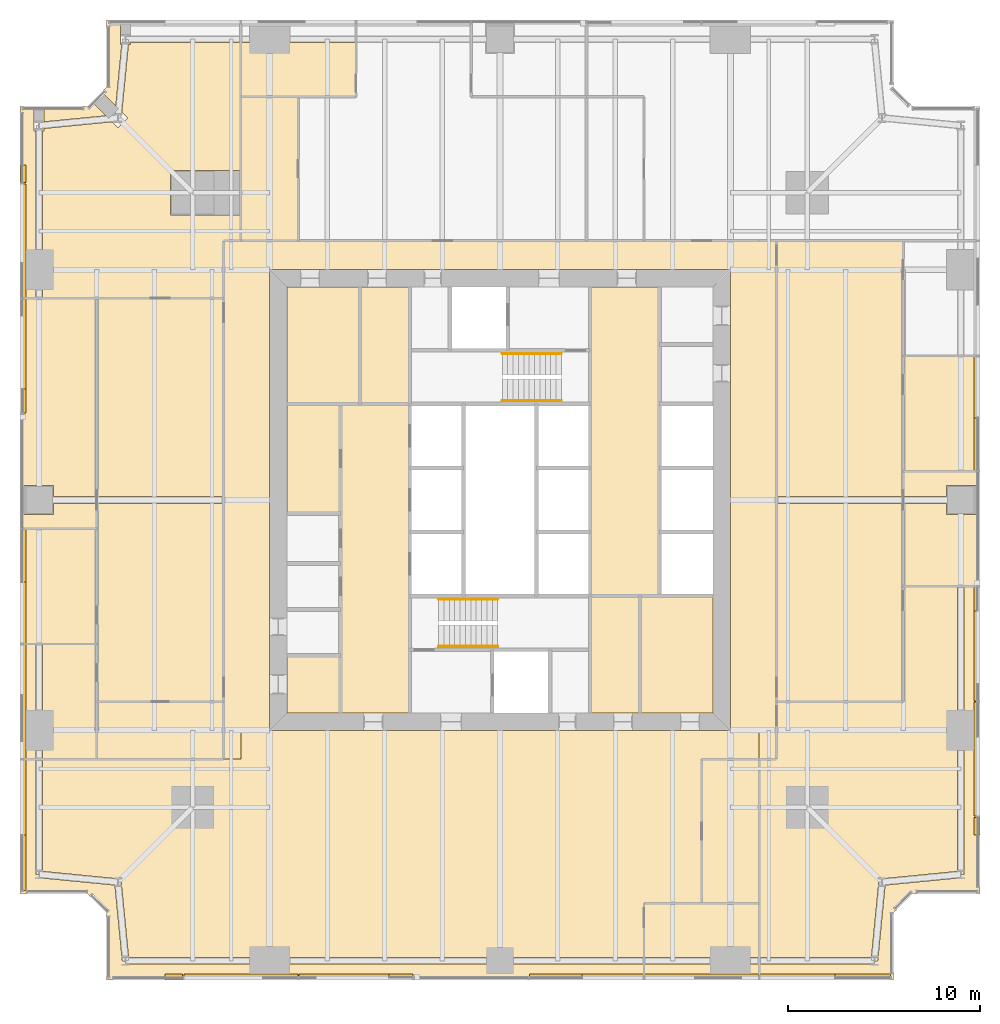
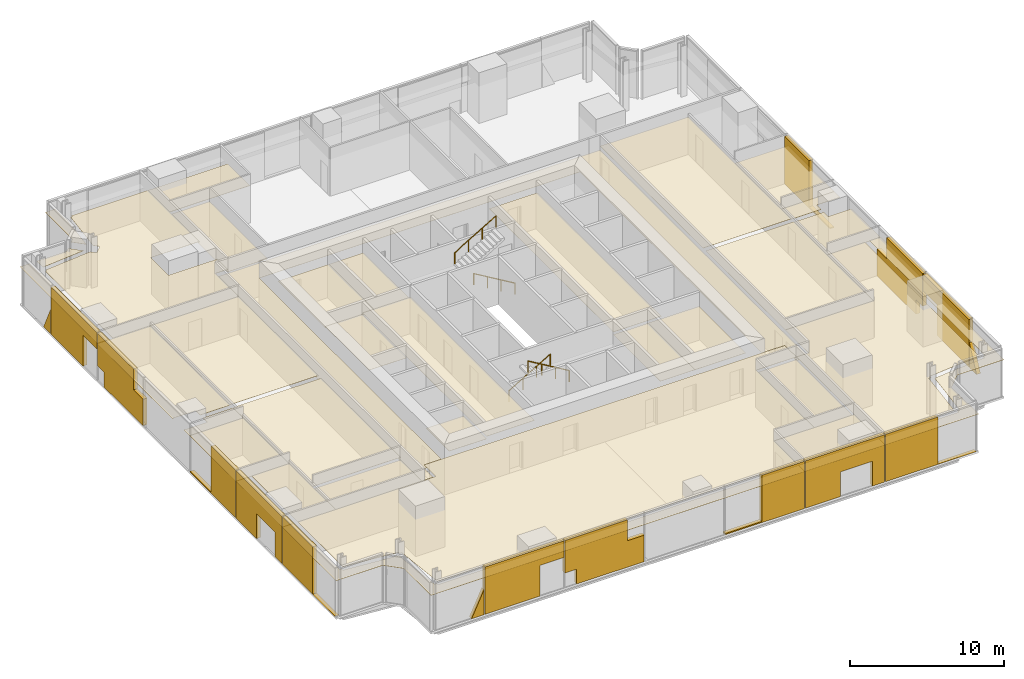
# One storey, part 13 of 14: 51 coverings, 4 railings.
"""IFC4 building model written with IfcOpenShell, lengths in metres."""

from ifc_helpers import new_model, si_unit, direction, frame, origin, origin_2d, place, context, subcontext, project, spatial, polyline, circle, outline, extrude, material, layer, layer_set, type_object, element, save


model = new_model("IFC4")

# Units and contexts
model_context = context("Model", 3, precision=1e-05, world=origin(), true_north=direction((0.0, 1.0)))
body_context = subcontext(model_context, "Body", "Model", "MODEL_VIEW")
ifc_project = project(units=[si_unit("LENGTHUNIT", "METRE"), si_unit("AREAUNIT", "SQUARE_METRE"), si_unit("VOLUMEUNIT", "CUBIC_METRE"), si_unit("PLANEANGLEUNIT", "RADIAN"), si_unit("MASSUNIT", "GRAM", prefix="KILO")], contexts=[model_context])

# Site, building, storey
site_placement = place(None, origin())
site = spatial("IfcSite", under=ifc_project, at=site_placement, CompositionType="ELEMENT")
building_placement = place(site_placement, origin())
building = spatial("IfcBuilding", under=site, at=building_placement, Name="Fenwick Lantern Interchange", CompositionType="ELEMENT")
storey_placement = place(building_placement, frame((0.0, 0.0, 122.39990234375)))
storey = spatial("IfcBuildingStorey", under=building, at=storey_placement, Name="L28", CompositionType="ELEMENT", Elevation=122.39990234375)

# Coverings
ifc_material_1 = material(Name="Mineral fibre acoustic tile on suspended grid")
ifc_layer_1 = layer(ifc_material_1, 0.02001953125)
ifc_layer_set_1 = layer_set([ifc_layer_1], Name="ACOUSTIC TILE CEILING 20")
covering_type_1 = type_object("IfcCoveringType", Name="ACOUSTIC TILE CEILING 20", PredefinedType="CEILING", material=ifc_layer_set_1)
covering_1_placement = place(storey_placement, frame((0.0, 0.0, 2.900146484375)))
element("IfcCovering", 1, at=covering_1_placement, inside=storey, type_object=covering_type_1, Name="Open office ceiling", PredefinedType="CEILING", context=body_context, shape_type="SweptSolid", body=[
    extrude(outline(polyline([(11.5, 11.5), (1.17236328125, 11.5), (1.17236328125, 5.656494140625), (5.11669921875, 5.271484375), (5.10009765625, 5.10009765625), (5.271484375, 5.11669921875), (5.656494140625, 1.17236328125), (13.0, 1.17236328125), (25.0, 1.17236328125), (32.5, 1.17236328125), (32.5, 4.0), (35.5, 4.0), (35.5, 11.5), (38.5, 11.5), (38.5, 13.0), (11.5, 13.0), (11.5, 11.5)])), origin(), (0.0, 0.0, 1.0), 0.02001953125),
])
covering_2_placement = place(storey_placement, frame((0.0, 0.0, 2.900146484375)))
element("IfcCovering", 2, at=covering_2_placement, inside=storey, type_object=covering_type_1, Name="Open office ceiling", PredefinedType="CEILING", context=body_context, shape_type="SweptSolid", body=[
    extrude(outline(polyline([(4.5, 3.5), (4.5, 0.0), (32.5, 0.0), (32.5, 0.82763671875), (25.0, 0.82763671875), (13.0, 0.82763671875), (5.5, 0.82763671875), (5.5, 1.0), (5.328369140625, 0.983154296875), (4.942138671875, 4.942138671875), (0.983154296875, 5.328369140625), (1.0, 5.5), (0.82763671875, 5.5), (0.82763671875, 11.5), (0.0, 11.5), (0.0, 4.5), (3.5, 4.5), (4.5, 3.5)])), origin(), (0.0, 0.0, 1.0), 0.02001953125),
])
covering_3_placement = place(storey_placement, frame((0.0, 0.0, 2.900146484375)))
element("IfcCovering", 3, at=covering_3_placement, inside=storey, type_object=covering_type_1, Name="Meeting room ceiling", PredefinedType="CEILING", context=body_context, shape_type="SweptSolid", body=[
    extrude(outline(polyline([(32.5, 4.0), (32.5, 1.17236328125), (37.0, 1.17236328125), (38.5, 1.17236328125), (38.5, 4.0), (32.5, 4.0)])), origin(), (0.0, 0.0, 1.0), 0.02001953125),
])
covering_4_placement = place(storey_placement, frame((0.0, 0.0, 2.900146484375)))
element("IfcCovering", 4, at=covering_4_placement, inside=storey, type_object=covering_type_1, Name="Meeting room ceiling", PredefinedType="CEILING", context=body_context, shape_type="SweptSolid", body=[
    extrude(outline(polyline([(38.5, 0.0), (38.5, 0.82763671875), (37.0, 0.82763671875), (32.5, 0.82763671875), (32.5, 0.0), (38.5, 0.0)])), origin(), (0.0, 0.0, 1.0), 0.02001953125),
])
covering_5_placement = place(storey_placement, frame((0.0, 0.0, 2.900146484375)))
element("IfcCovering", 5, at=covering_5_placement, inside=storey, type_object=covering_type_1, Name="Office suite ceiling", PredefinedType="CEILING", context=body_context, shape_type="SweptSolid", body=[
    extrude(outline(polyline([(39.39990234375, 38.5), (39.39990234375, 25.175048828125), (46.0, 25.175048828125), (46.0, 38.5), (39.39990234375, 38.5)])), origin(), (0.0, 0.0, 1.0), 0.02001953125),
])
covering_6_placement = place(storey_placement, frame((0.0, 0.0, 2.900146484375)))
element("IfcCovering", 6, at=covering_6_placement, inside=storey, type_object=covering_type_1, Name="Office suite ceiling", PredefinedType="CEILING", context=body_context, shape_type="SweptSolid", body=[
    extrude(outline(polyline([(39.39990234375, 24.824951171875), (39.39990234375, 14.5), (46.0, 14.5), (46.0, 24.824951171875), (39.39990234375, 24.824951171875)])), origin(), (0.0, 0.0, 1.0), 0.02001953125),
])
covering_7_placement = place(storey_placement, frame((0.0, 0.0, 2.900146484375)))
element("IfcCovering", 7, at=covering_7_placement, inside=storey, type_object=covering_type_1, Name="Meeting room ceiling", PredefinedType="CEILING", context=body_context, shape_type="SweptSolid", body=[
    extrude(outline(polyline([(48.82763671875, 20.5), (46.0, 20.5), (46.0, 14.5), (39.39990234375, 14.5), (39.39990234375, 11.5), (38.5, 11.5), (38.5, 1.17236328125), (44.343505859375, 1.17236328125), (44.728515625, 5.11669921875), (44.89990234375, 5.10009765625), (44.88330078125, 5.271484375), (48.82763671875, 5.656494140625), (48.82763671875, 13.0), (48.82763671875, 20.5)])), origin(), (0.0, 0.0, 1.0), 0.02001953125),
])
covering_8_placement = place(storey_placement, frame((0.0, 0.0, 2.900146484375)))
element("IfcCovering", 8, at=covering_8_placement, inside=storey, type_object=covering_type_1, Name="Meeting room ceiling", PredefinedType="CEILING", context=body_context, shape_type="SweptSolid", body=[
    extrude(outline(polyline([(50.0, 20.5), (49.17236328125, 20.5), (49.17236328125, 13.0), (49.17236328125, 5.5), (49.0, 5.5), (49.016845703125, 5.328369140625), (45.057861328125, 4.942138671875), (44.671630859375, 0.983154296875), (44.5, 1.0), (44.5, 0.82763671875), (38.5, 0.82763671875), (38.5, 0.0), (45.5, 0.0), (45.5, 3.5), (46.5, 4.5), (50.0, 4.5), (50.0, 20.5)])), origin(), (0.0, 0.0, 1.0), 0.02001953125),
])
covering_9_placement = place(storey_placement, frame((0.0, 0.0, 2.8681640625)))
element("IfcCovering", 9, at=covering_9_placement, inside=storey, type_object=covering_type_1, Name="Meeting room ceiling", PredefinedType="CEILING", context=body_context, shape_type="SweptSolid", body=[
    extrude(outline(polyline([(46.0, 20.5), (50.0, 20.5), (50.0, 24.25), (48.25, 24.25), (48.25, 24.824951171875), (46.0, 24.824951171875), (46.0, 20.5)])), origin(), (0.0, 0.0, 1.0), 0.02001953125),
])
covering_10_placement = place(storey_placement, frame((0.0, 0.0, 2.8681640625)))
element("IfcCovering", 10, at=covering_10_placement, inside=storey, type_object=covering_type_1, Name="Meeting room ceiling", PredefinedType="CEILING", context=body_context, shape_type="SweptSolid", body=[
    extrude(outline(polyline([(46.0, 26.5), (46.0, 25.175048828125), (48.25, 25.175048828125), (48.25, 25.75), (50.0, 25.75), (50.0, 26.5), (46.0, 26.5)])), origin(), (0.0, 0.0, 1.0), 0.02001953125),
])
covering_11_placement = place(storey_placement, frame((0.0, 0.0, 2.8681640625)))
element("IfcCovering", 11, at=covering_11_placement, inside=storey, type_object=covering_type_1, Name="Meeting room ceiling", PredefinedType="CEILING", context=body_context, shape_type="SweptSolid", body=[
    extrude(outline(polyline([(50.0, 26.5), (50.0, 32.5), (46.0, 32.5), (46.0, 26.5), (50.0, 26.5)])), origin(), (0.0, 0.0, 1.0), 0.02001953125),
])
covering_12_placement = place(storey_placement, frame((0.0, 0.0, 2.900146484375)))
element("IfcCovering", 12, at=covering_12_placement, inside=storey, type_object=covering_type_1, Name="Office ceiling", PredefinedType="CEILING", context=body_context, shape_type="SweptSolid", body=[
    extrude(outline(polyline([(17.5, 46.0), (17.5, 48.82763671875), (13.0, 48.82763671875), (11.5, 48.82763671875), (11.5, 46.0), (17.5, 46.0)])), origin(), (0.0, 0.0, 1.0), 0.02001953125),
])
covering_13_placement = place(storey_placement, frame((0.0, 0.0, 2.900146484375)))
element("IfcCovering", 13, at=covering_13_placement, inside=storey, type_object=covering_type_1, Name="Office suite ceiling", PredefinedType="CEILING", context=body_context, shape_type="SweptSolid", body=[
    extrude(outline(polyline([(10.60009765625, 14.5), (10.60009765625, 24.824951171875), (4.0, 24.824951171875), (4.0, 14.5), (10.60009765625, 14.5)])), origin(), (0.0, 0.0, 1.0), 0.02001953125),
])
covering_14_placement = place(storey_placement, frame((0.0, 0.0, 2.900146484375)))
element("IfcCovering", 14, at=covering_14_placement, inside=storey, type_object=covering_type_1, Name="Office suite ceiling", PredefinedType="CEILING", context=body_context, shape_type="SweptSolid", body=[
    extrude(outline(polyline([(10.60009765625, 25.175048828125), (10.60009765625, 35.5), (4.0, 35.5), (4.0, 25.175048828125), (10.60009765625, 25.175048828125)])), origin(), (0.0, 0.0, 1.0), 0.02001953125),
])
covering_15_placement = place(storey_placement, frame((0.0, 0.0, 2.900146484375)))
element("IfcCovering", 15, at=covering_15_placement, inside=storey, type_object=covering_type_1, Name="Office study ceiling", PredefinedType="CEILING", context=body_context, shape_type="SweptSolid", body=[
    extrude(outline(polyline([(5.76220703125, 48.71240234375), (5.645263671875, 48.71240234375), (5.303955078125, 45.21630859375), (5.620361328125, 44.89990234375), (5.10009765625, 44.379638671875), (4.78369140625, 44.696044921875), (1.26220703125, 44.352294921875), (1.26220703125, 44.21240234375), (1.17236328125, 44.21240234375), (1.17236328125, 37.0), (1.17236328125, 35.5), (10.60009765625, 35.5), (10.60009765625, 38.5), (11.5, 38.5), (11.5, 39.85009765625), (7.85009765625, 39.85009765625), (7.85009765625, 42.14990234375), (11.5, 42.14990234375), (11.5, 48.82763671875), (5.76220703125, 48.82763671875), (5.76220703125, 48.71240234375)])), origin(), (0.0, 0.0, 1.0), 0.02001953125),
])
covering_16_placement = place(storey_placement, frame((0.0, 0.0, 2.900146484375)))
element("IfcCovering", 16, at=covering_16_placement, inside=storey, type_object=covering_type_1, Name="Office study ceiling", PredefinedType="CEILING", context=body_context, shape_type="SweptSolid", body=[
    extrude(outline(polyline([(0.0, 35.5), (0.82763671875, 35.5), (0.82763671875, 37.0), (0.82763671875, 44.21240234375), (0.73779296875, 44.21240234375), (0.73779296875, 45.5), (0.0, 45.5), (0.0, 35.5)])), origin(), (0.0, 0.0, 1.0), 0.02001953125),
])
covering_17_placement = place(storey_placement, frame((0.0, 0.0, 2.900146484375)))
element("IfcCovering", 17, at=covering_17_placement, inside=storey, type_object=covering_type_1, Name="Office study ceiling", PredefinedType="CEILING", context=body_context, shape_type="SweptSolid", body=[
    extrude(outline(polyline([(5.298828125, 48.71240234375), (5.23779296875, 48.71240234375), (5.23779296875, 50.0), (4.5, 50.0), (4.5, 46.5), (4.26025390625, 46.26025390625), (4.988525390625, 45.531982421875), (5.298828125, 48.71240234375)])), origin(), (0.0, 0.0, 1.0), 0.02001953125),
])
covering_18_placement = place(storey_placement, frame((0.0, 0.0, 2.900146484375)))
element("IfcCovering", 18, at=covering_18_placement, inside=storey, type_object=covering_type_1, Name="Office study ceiling", PredefinedType="CEILING", context=body_context, shape_type="SweptSolid", body=[
    extrude(outline(polyline([(1.26220703125, 45.5), (1.26220703125, 44.69873046875), (4.468017578125, 45.011474609375), (3.73974609375, 45.73974609375), (3.5, 45.5), (1.26220703125, 45.5)])), origin(), (0.0, 0.0, 1.0), 0.02001953125),
])
covering_19_placement = place(storey_placement, frame((0.0, 0.0, 2.8681640625)))
element("IfcCovering", 19, at=covering_19_placement, inside=storey, type_object=covering_type_1, Name="Meeting room ceiling", PredefinedType="CEILING", context=body_context, shape_type="SweptSolid", body=[
    extrude(outline(polyline([(4.0, 25.175048828125), (4.0, 35.5), (0.0, 35.5), (0.0, 25.75), (1.75, 25.75), (1.75, 25.175048828125), (4.0, 25.175048828125)])), origin(), (0.0, 0.0, 1.0), 0.02001953125),
])
covering_20_placement = place(storey_placement, frame((0.0, 0.0, 2.8681640625)))
element("IfcCovering", 20, at=covering_20_placement, inside=storey, type_object=covering_type_1, Name="Meeting room ceiling", PredefinedType="CEILING", context=body_context, shape_type="SweptSolid", body=[
    extrude(outline(polyline([(4.0, 23.5), (4.0, 24.824951171875), (1.75, 24.824951171875), (1.75, 24.25), (0.0, 24.25), (0.0, 23.5), (4.0, 23.5)])), origin(), (0.0, 0.0, 1.0), 0.02001953125),
])
covering_21_placement = place(storey_placement, frame((0.0, 0.0, 2.8681640625)))
element("IfcCovering", 21, at=covering_21_placement, inside=storey, type_object=covering_type_1, Name="Office ceiling", PredefinedType="CEILING", context=body_context, shape_type="SweptSolid", body=[
    extrude(outline(polyline([(0.0, 23.5), (0.0, 17.5), (4.0, 17.5), (4.0, 23.5), (0.0, 23.5)])), origin(), (0.0, 0.0, 1.0), 0.02001953125),
])
covering_22_placement = place(storey_placement, frame((0.0, 0.0, 2.900146484375)))
element("IfcCovering", 22, at=covering_22_placement, inside=storey, type_object=covering_type_1, Name="Office ceiling", PredefinedType="CEILING", context=body_context, shape_type="SweptSolid", body=[
    extrude(outline(polyline([(4.0, 17.5), (1.17236328125, 17.5), (1.17236328125, 13.0), (1.17236328125, 11.5), (4.0, 11.5), (4.0, 17.5)])), origin(), (0.0, 0.0, 1.0), 0.02001953125),
])
covering_23_placement = place(storey_placement, frame((0.0, 0.0, 2.900146484375)))
element("IfcCovering", 23, at=covering_23_placement, inside=storey, type_object=covering_type_1, Name="Office ceiling", PredefinedType="CEILING", context=body_context, shape_type="SweptSolid", body=[
    extrude(outline(polyline([(0.0, 11.5), (0.82763671875, 11.5), (0.82763671875, 13.0), (0.82763671875, 17.5), (0.0, 17.5), (0.0, 11.5)])), origin(), (0.0, 0.0, 1.0), 0.02001953125),
])
covering_24_placement = place(storey_placement, frame((0.0, 0.0, 2.7001953125)))
element("IfcCovering", 24, at=covering_24_placement, inside=storey, type_object=covering_type_1, Name="Print and copy room ceiling", PredefinedType="CEILING", context=body_context, shape_type="SweptSolid", body=[
    extrude(outline(polyline([(4.0, 14.5), (4.0, 11.5), (10.60009765625, 11.5), (10.60009765625, 14.5), (4.0, 14.5)])), origin(), (0.0, 0.0, 1.0), 0.02001953125),
])
ifc_material_2 = material(Name="Granite cladding, warm grey flamed finish, on aluminium carrier frame", Category="masonry")
ifc_layer_2 = layer(ifc_material_2, 0.300048828125)
ifc_layer_set_2 = layer_set([ifc_layer_2], Name="BRACE CASING PANEL 300")
covering_type_2 = type_object("IfcCoveringType", Name="BRACE CASING PANEL 300", PredefinedType="CLADDING", material=ifc_layer_set_2)
covering_25_placement = place(storey_placement, frame((4.60009765625, 0.10009765625, 0.0), z_axis=(0.0, 0.0, 1.0), x_axis=(1.0, 0.0, 0.0)))
element("IfcCovering", 25, at=covering_25_placement, inside=storey, type_object=covering_type_2, Name="Brace casing 01 bay 00a", PredefinedType="CLADDING", context=body_context, shape_type="SweptSolid", body=[
    extrude(outline(polyline([(2.946044921875, 0.0), (3.867431640625, 0.0), (3.867431640625, 1.965576171875), (2.946044921875, 0.0)])), frame((0.0, 0.2001953125, 0.0), z_axis=(0.0, -1.0, 0.0), x_axis=(1.0, 0.0, 0.0)), (0.0, 0.0, 1.0), 0.300048828125),
])
covering_26_placement = place(storey_placement, frame((4.60009765625, 0.10009765625, 0.0), z_axis=(0.0, 0.0, 1.0), x_axis=(1.0, 0.0, 0.0)))
element("IfcCovering", 26, at=covering_26_placement, inside=storey, type_object=covering_type_2, Name="Brace casing 01 bay 01a", PredefinedType="CLADDING", context=body_context, shape_type="SweptSolid", body=[
    extrude(outline(polyline([(3.9326171875, 0.0), (8.06201171875, 0.0), (8.06201171875, 2.43212890625), (9.867431640625, 2.43212890625), (9.867431640625, 3.75), (3.9326171875, 3.75), (3.9326171875, 0.0)])), frame((0.0, 0.2001953125, 0.0), z_axis=(0.0, -1.0, 0.0), x_axis=(1.0, 0.0, 0.0)), (0.0, 0.0, 1.0), 0.300048828125),
])
covering_27_placement = place(storey_placement, frame((4.60009765625, 0.10009765625, 0.0), z_axis=(0.0, 0.0, 1.0), x_axis=(1.0, 0.0, 0.0)))
element("IfcCovering", 27, at=covering_27_placement, inside=storey, type_object=covering_type_2, Name="Brace casing 01 bay 02a", PredefinedType="CLADDING", context=body_context, shape_type="SweptSolid", body=[
    extrude(outline(polyline([(10.8125, 0.0), (15.867431640625, 0.0), (15.867431640625, 2.0966796875), (14.623046875, 2.0966796875), (14.623046875, 3.75), (9.9326171875, 3.75), (9.9326171875, 1.177490234375), (10.8125, 1.177490234375), (10.8125, 0.0)])), frame((0.0, 0.2001953125, 0.0), z_axis=(0.0, -1.0, 0.0), x_axis=(1.0, 0.0, 0.0)), (0.0, 0.0, 1.0), 0.300048828125),
])
covering_28_placement = place(storey_placement, frame((4.60009765625, 0.10009765625, 0.0), z_axis=(0.0, 0.0, 1.0), x_axis=(1.0, 0.0, 0.0)))
element("IfcCovering", 28, at=covering_28_placement, inside=storey, type_object=covering_type_2, Name="Brace casing 01 bay 04a", PredefinedType="CLADDING", context=body_context, shape_type="SweptSolid", body=[
    extrude(outline(polyline([(21.9326171875, 0.0), (27.867431640625, 0.0), (27.867431640625, 3.75), (24.672607421875, 3.75), (24.672607421875, 0.0908203125), (21.9326171875, 0.0908203125), (21.9326171875, 0.0)])), frame((0.0, 0.2001953125, 0.0), z_axis=(0.0, -1.0, 0.0), x_axis=(1.0, 0.0, 0.0)), (0.0, 0.0, 1.0), 0.300048828125),
])
covering_29_placement = place(storey_placement, frame((4.60009765625, 0.10009765625, 0.0), z_axis=(0.0, 0.0, 1.0), x_axis=(1.0, 0.0, 0.0)))
element("IfcCovering", 29, at=covering_29_placement, inside=storey, type_object=covering_type_2, Name="Brace casing 01 bay 05a", PredefinedType="CLADDING", context=body_context, shape_type="SweptSolid", body=[
    extrude(outline(polyline([(27.9326171875, 0.0), (30.574462890625, 0.0), (30.574462890625, 1.95947265625), (32.95947265625, 1.95947265625), (32.95947265625, 0.0), (33.867431640625, 0.0), (33.867431640625, 3.75), (27.9326171875, 3.75), (27.9326171875, 0.0)])), frame((0.0, 0.2001953125, 0.0), z_axis=(0.0, -1.0, 0.0), x_axis=(1.0, 0.0, 0.0)), (0.0, 0.0, 1.0), 0.300048828125),
])
covering_30_placement = place(storey_placement, frame((4.60009765625, 0.10009765625, 0.0), z_axis=(0.0, 0.0, 1.0), x_axis=(1.0, 0.0, 0.0)))
element("IfcCovering", 30, at=covering_30_placement, inside=storey, type_object=covering_type_2, Name="Brace casing 01 bay 06a", PredefinedType="CLADDING", context=body_context, shape_type="SweptSolid", body=[
    extrude(outline(polyline([(33.9326171875, 0.0), (40.735107421875, 0.0), (40.735107421875, 0.006103515625), (37.85107421875, 0.006103515625), (37.85107421875, 3.75), (33.9326171875, 3.75), (33.9326171875, 0.0)])), frame((0.0, 0.2001953125, 0.0), z_axis=(0.0, -1.0, 0.0), x_axis=(1.0, 0.0, 0.0)), (0.0, 0.0, 1.0), 0.300048828125),
])
covering_31_placement = place(storey_placement, frame((49.89990234375, 4.60009765625, 0.0), z_axis=(0.0, 0.0, 1.0), x_axis=(0.0, 1.0, 0.0)))
element("IfcCovering", 31, at=covering_31_placement, inside=storey, type_object=covering_type_2, Name="Brace casing 05 bay 00a", PredefinedType="CLADDING", context=body_context, shape_type="SweptSolid", body=[
    extrude(outline(polyline([(2.946044921875, 0.0), (3.867431640625, 0.0), (3.867431640625, 1.965576171875), (2.946044921875, 0.0)])), frame((0.0, 0.2001953125, 0.0), z_axis=(0.0, -1.0, 0.0), x_axis=(1.0, 0.0, 0.0)), (0.0, 0.0, 1.0), 0.300048828125),
])
covering_32_placement = place(storey_placement, frame((49.89990234375, 4.60009765625, 0.0), z_axis=(0.0, 0.0, 1.0), x_axis=(0.0, 1.0, 0.0)))
element("IfcCovering", 32, at=covering_32_placement, inside=storey, type_object=covering_type_2, Name="Brace casing 05 bay 01a", PredefinedType="CLADDING", context=body_context, shape_type="SweptSolid", body=[
    extrude(outline(polyline([(3.9326171875, 0.0), (8.06201171875, 0.0), (8.06201171875, 2.43212890625), (9.867431640625, 2.43212890625), (9.867431640625, 3.75), (3.9326171875, 3.75), (3.9326171875, 0.0)])), frame((0.0, 0.2001953125, 0.0), z_axis=(0.0, -1.0, 0.0), x_axis=(1.0, 0.0, 0.0)), (0.0, 0.0, 1.0), 0.300048828125),
])
covering_33_placement = place(storey_placement, frame((49.89990234375, 4.60009765625, 0.0), z_axis=(0.0, 0.0, 1.0), x_axis=(0.0, 1.0, 0.0)))
element("IfcCovering", 33, at=covering_33_placement, inside=storey, type_object=covering_type_2, Name="Brace casing 05 bay 02a", PredefinedType="CLADDING", context=body_context, shape_type="SweptSolid", body=[
    extrude(outline(polyline([(10.8125, 0.0), (15.867431640625, 0.0), (15.867431640625, 2.0966796875), (14.623046875, 2.0966796875), (14.623046875, 3.75), (9.9326171875, 3.75), (9.9326171875, 1.177490234375), (10.8125, 1.177490234375), (10.8125, 0.0)])), frame((0.0, 0.2001953125, 0.0), z_axis=(0.0, -1.0, 0.0), x_axis=(1.0, 0.0, 0.0)), (0.0, 0.0, 1.0), 0.300048828125),
])
covering_34_placement = place(storey_placement, frame((49.89990234375, 4.60009765625, 0.0), z_axis=(0.0, 0.0, 1.0), x_axis=(0.0, 1.0, 0.0)))
element("IfcCovering", 34, at=covering_34_placement, inside=storey, type_object=covering_type_2, Name="Brace casing 05 bay 04a", PredefinedType="CLADDING", context=body_context, shape_type="SweptSolid", body=[
    extrude(outline(polyline([(21.9326171875, 0.0), (27.867431640625, 0.0), (27.867431640625, 3.75), (24.672607421875, 3.75), (24.672607421875, 0.0908203125), (21.9326171875, 0.0908203125), (21.9326171875, 0.0)])), frame((0.0, 0.2001953125, 0.0), z_axis=(0.0, -1.0, 0.0), x_axis=(1.0, 0.0, 0.0)), (0.0, 0.0, 1.0), 0.300048828125),
])
covering_35_placement = place(storey_placement, frame((0.10009765625, 45.39990234375, 0.0), z_axis=(0.0, 0.0, 1.0), x_axis=(0.0, -1.0, 0.0)))
element("IfcCovering", 35, at=covering_35_placement, inside=storey, type_object=covering_type_2, Name="Brace casing 13 bay 00a", PredefinedType="CLADDING", context=body_context, shape_type="SweptSolid", body=[
    extrude(outline(polyline([(2.946044921875, 0.0), (3.867431640625, 0.0), (3.867431640625, 1.965576171875), (2.946044921875, 0.0)])), frame((0.0, 0.2001953125, 0.0), z_axis=(0.0, -1.0, 0.0), x_axis=(1.0, 0.0, 0.0)), (0.0, 0.0, 1.0), 0.300048828125),
])
covering_36_placement = place(storey_placement, frame((0.10009765625, 45.39990234375, 0.0), z_axis=(0.0, 0.0, 1.0), x_axis=(0.0, -1.0, 0.0)))
element("IfcCovering", 36, at=covering_36_placement, inside=storey, type_object=covering_type_2, Name="Brace casing 13 bay 01a", PredefinedType="CLADDING", context=body_context, shape_type="SweptSolid", body=[
    extrude(outline(polyline([(3.9326171875, 0.0), (8.06201171875, 0.0), (8.06201171875, 2.43212890625), (9.867431640625, 2.43212890625), (9.867431640625, 3.75), (3.9326171875, 3.75), (3.9326171875, 0.0)])), frame((0.0, 0.2001953125, 0.0), z_axis=(0.0, -1.0, 0.0), x_axis=(1.0, 0.0, 0.0)), (0.0, 0.0, 1.0), 0.300048828125),
])
covering_37_placement = place(storey_placement, frame((0.10009765625, 45.39990234375, 0.0), z_axis=(0.0, 0.0, 1.0), x_axis=(0.0, -1.0, 0.0)))
element("IfcCovering", 37, at=covering_37_placement, inside=storey, type_object=covering_type_2, Name="Brace casing 13 bay 02a", PredefinedType="CLADDING", context=body_context, shape_type="SweptSolid", body=[
    extrude(outline(polyline([(10.8125, 0.0), (15.867431640625, 0.0), (15.867431640625, 2.0966796875), (14.623046875, 2.0966796875), (14.623046875, 3.75), (9.9326171875, 3.75), (9.9326171875, 1.177490234375), (10.8125, 1.177490234375), (10.8125, 0.0)])), frame((0.0, 0.2001953125, 0.0), z_axis=(0.0, -1.0, 0.0), x_axis=(1.0, 0.0, 0.0)), (0.0, 0.0, 1.0), 0.300048828125),
])
covering_38_placement = place(storey_placement, frame((0.10009765625, 45.39990234375, 0.0), z_axis=(0.0, 0.0, 1.0), x_axis=(0.0, -1.0, 0.0)))
element("IfcCovering", 38, at=covering_38_placement, inside=storey, type_object=covering_type_2, Name="Brace casing 13 bay 04a", PredefinedType="CLADDING", context=body_context, shape_type="SweptSolid", body=[
    extrude(outline(polyline([(21.9326171875, 0.0), (27.867431640625, 0.0), (27.867431640625, 3.75), (24.672607421875, 3.75), (24.672607421875, 0.0908203125), (21.9326171875, 0.0908203125), (21.9326171875, 0.0)])), frame((0.0, 0.2001953125, 0.0), z_axis=(0.0, -1.0, 0.0), x_axis=(1.0, 0.0, 0.0)), (0.0, 0.0, 1.0), 0.300048828125),
])
covering_39_placement = place(storey_placement, frame((0.10009765625, 45.39990234375, 0.0), z_axis=(0.0, 0.0, 1.0), x_axis=(0.0, -1.0, 0.0)))
element("IfcCovering", 39, at=covering_39_placement, inside=storey, type_object=covering_type_2, Name="Brace casing 13 bay 05a", PredefinedType="CLADDING", context=body_context, shape_type="SweptSolid", body=[
    extrude(outline(polyline([(27.9326171875, 0.0), (30.574462890625, 0.0), (30.574462890625, 1.95947265625), (32.95947265625, 1.95947265625), (32.95947265625, 0.0), (33.867431640625, 0.0), (33.867431640625, 3.75), (27.9326171875, 3.75), (27.9326171875, 0.0)])), frame((0.0, 0.2001953125, 0.0), z_axis=(0.0, -1.0, 0.0), x_axis=(1.0, 0.0, 0.0)), (0.0, 0.0, 1.0), 0.300048828125),
])
covering_40_placement = place(storey_placement, frame((0.10009765625, 45.39990234375, 0.0), z_axis=(0.0, 0.0, 1.0), x_axis=(0.0, -1.0, 0.0)))
element("IfcCovering", 40, at=covering_40_placement, inside=storey, type_object=covering_type_2, Name="Brace casing 13 bay 06a", PredefinedType="CLADDING", context=body_context, shape_type="SweptSolid", body=[
    extrude(outline(polyline([(33.9326171875, 0.0), (40.735107421875, 0.0), (40.735107421875, 0.006103515625), (37.85107421875, 0.006103515625), (37.85107421875, 3.75), (33.9326171875, 3.75), (33.9326171875, 0.0)])), frame((0.0, 0.2001953125, 0.0), z_axis=(0.0, -1.0, 0.0), x_axis=(1.0, 0.0, 0.0)), (0.0, 0.0, 1.0), 0.300048828125),
])

# Railings
ifc_material_3 = material(Name="Stainless steel handrail", Category="steel")
railing_type = type_object("IfcRailingType", Name="HANDRAIL 900", PredefinedType="HANDRAIL", material=ifc_material_3)
railing_1_placement = place(storey_placement, frame((21.800048828125, 19.825927734375, 0.166748046875)))
element("IfcRailing", 41, at=railing_1_placement, inside=storey, type_object=railing_type, Name="L28/STAIR/ST1/HR1", PredefinedType="HANDRAIL", context=body_context, shape_type="SweptSolid", body=[
    extrude(circle(Radius=0.02392578125, at=origin_2d()), frame((0.0, 0.0, 0.8759765625), z_axis=(0.859290745958, 0.0, 0.51148745235), x_axis=(0.0, 1.0, 0.0)), (0.0, 0.0, 1.0), 3.584228515625),
    extrude(circle(Radius=0.02099609375, at=origin_2d()), origin(), (0.0, 0.0, 1.0), 0.851806640625),
    extrude(circle(Radius=0.02099609375, at=origin_2d()), frame((1.026611328125, 0.0, 0.611083984375)), (0.0, 0.0, 1.0), 0.851806640625),
    extrude(circle(Radius=0.02099609375, at=origin_2d()), frame((2.05322265625, 0.0, 1.22216796875)), (0.0, 0.0, 1.0), 0.851806640625),
    extrude(circle(Radius=0.02099609375, at=origin_2d()), frame((3.079833984375, 0.0, 1.833251953125)), (0.0, 0.0, 1.0), 0.851806640625),
])
for number, where, name in (
    (42, (24.8798828125, 17.3740234375, 2.166748046875), "L28/STAIR/ST1/HR2"),
    (43, (28.199951171875, 30.174072265625, 0.166748046875), "L28/STAIR/ST2/HR1"),
):
    element("IfcRailing", number, at=place(storey_placement, frame(where)), inside=storey, type_object=railing_type, Name=name, PredefinedType="HANDRAIL", context=body_context, shape_type="SweptSolid", body=[
        extrude(circle(Radius=0.02392578125, at=origin_2d()), frame((0.0, 0.0, 0.8759765625), z_axis=(-0.859290745958, 0.0, 0.51148745235), x_axis=(0.0, -1.0, 0.0)), (0.0, 0.0, 1.0), 3.584228515625),
        extrude(circle(Radius=0.02099609375, at=origin_2d()), origin(), (0.0, 0.0, 1.0), 0.851806640625),
        extrude(circle(Radius=0.02099609375, at=origin_2d()), frame((-1.026611328125, 0.0, 0.611083984375)), (0.0, 0.0, 1.0), 0.851806640625),
        extrude(circle(Radius=0.02099609375, at=origin_2d()), frame((-2.05322265625, 0.0, 1.22216796875)), (0.0, 0.0, 1.0), 0.851806640625),
        extrude(circle(Radius=0.02099609375, at=origin_2d()), frame((-3.079833984375, 0.0, 1.833251953125)), (0.0, 0.0, 1.0), 0.851806640625),
    ])
railing_2_placement = place(storey_placement, frame((25.1201171875, 32.6259765625, 2.166748046875)))
element("IfcRailing", 44, at=railing_2_placement, inside=storey, type_object=railing_type, Name="L28/STAIR/ST2/HR2", PredefinedType="HANDRAIL", context=body_context, shape_type="SweptSolid", body=[
    extrude(circle(Radius=0.02392578125, at=origin_2d()), frame((0.0, 0.0, 0.8759765625), z_axis=(0.859290745958, 0.0, 0.51148745235), x_axis=(0.0, 1.0, 0.0)), (0.0, 0.0, 1.0), 3.584228515625),
    extrude(circle(Radius=0.02099609375, at=origin_2d()), origin(), (0.0, 0.0, 1.0), 0.851806640625),
    extrude(circle(Radius=0.02099609375, at=origin_2d()), frame((1.026611328125, 0.0, 0.611083984375)), (0.0, 0.0, 1.0), 0.851806640625),
    extrude(circle(Radius=0.02099609375, at=origin_2d()), frame((2.05322265625, 0.0, 1.22216796875)), (0.0, 0.0, 1.0), 0.851806640625),
    extrude(circle(Radius=0.02099609375, at=origin_2d()), frame((3.079833984375, 0.0, 1.833251953125)), (0.0, 0.0, 1.0), 0.851806640625),
])

# Coverings
ifc_material_4 = material(Name="Moisture resistant gypsum board on suspended frame, painted")
ifc_layer_3 = layer(ifc_material_4, 0.014892578125)
ifc_layer_set_3 = layer_set([ifc_layer_3], Name="MOISTURE RESISTANT CEILING 15")
covering_type_3 = type_object("IfcCoveringType", Name="MOISTURE RESISTANT CEILING 15", PredefinedType="CEILING", material=ifc_layer_set_3)
covering_41_placement = place(storey_placement, frame((0.0, 0.0, 2.60009765625)))
element("IfcCovering", 45, at=covering_41_placement, inside=storey, type_object=covering_type_3, Name="Men's WC ceiling", PredefinedType="CEILING", context=body_context, shape_type="SweptSolid", body=[
    extrude(outline(polyline([(29.699951171875, 13.89990234375), (32.300048828125, 13.89990234375), (32.300048828125, 20.0), (29.699951171875, 20.0), (29.699951171875, 13.89990234375)])), origin(), (0.0, 0.0, 1.0), 0.014892578125),
])
covering_42_placement = place(storey_placement, frame((0.0, 0.0, 2.60009765625)))
element("IfcCovering", 46, at=covering_42_placement, inside=storey, type_object=covering_type_3, Name="Women's WC ceiling", PredefinedType="CEILING", context=body_context, shape_type="SweptSolid", body=[
    extrude(outline(polyline([(32.300048828125, 13.89990234375), (36.10009765625, 13.89990234375), (36.10009765625, 20.0), (32.300048828125, 20.0), (32.300048828125, 13.89990234375)])), origin(), (0.0, 0.0, 1.0), 0.014892578125),
])
covering_43_placement = place(storey_placement, frame((0.0, 0.0, 2.60009765625)))
element("IfcCovering", 47, at=covering_43_placement, inside=storey, type_object=covering_type_3, Name="Accessible WC ceiling", PredefinedType="CEILING", context=body_context, shape_type="SweptSolid", body=[
    extrude(outline(polyline([(13.89990234375, 13.89990234375), (16.699951171875, 13.89990234375), (16.699951171875, 16.89990234375), (13.89990234375, 16.89990234375), (13.89990234375, 13.89990234375)])), origin(), (0.0, 0.0, 1.0), 0.014892578125),
])
covering_44_placement = place(storey_placement, frame((0.0, 0.0, 2.7001953125)))
element("IfcCovering", 48, at=covering_44_placement, inside=storey, type_object=covering_type_3, Name="Pantry ceiling", PredefinedType="CEILING", context=body_context, shape_type="SweptSolid", body=[
    extrude(outline(polyline([(13.89990234375, 24.300048828125), (16.699951171875, 24.300048828125), (16.699951171875, 30.0), (13.89990234375, 30.0), (13.89990234375, 24.300048828125)])), origin(), (0.0, 0.0, 1.0), 0.014892578125),
])
covering_45_placement = place(storey_placement, frame((0.0, 0.0, 2.60009765625)))
element("IfcCovering", 49, at=covering_45_placement, inside=storey, type_object=covering_type_3, Name="Men's WC ceiling", PredefinedType="CEILING", context=body_context, shape_type="SweptSolid", body=[
    extrude(outline(polyline([(20.300048828125, 36.10009765625), (17.699951171875, 36.10009765625), (17.699951171875, 30.0), (20.300048828125, 30.0), (20.300048828125, 36.10009765625)])), origin(), (0.0, 0.0, 1.0), 0.014892578125),
])
covering_46_placement = place(storey_placement, frame((0.0, 0.0, 2.60009765625)))
element("IfcCovering", 50, at=covering_46_placement, inside=storey, type_object=covering_type_3, Name="Women's WC ceiling", PredefinedType="CEILING", context=body_context, shape_type="SweptSolid", body=[
    extrude(outline(polyline([(17.699951171875, 36.10009765625), (13.89990234375, 36.10009765625), (13.89990234375, 30.0), (17.699951171875, 30.0), (17.699951171875, 36.10009765625)])), origin(), (0.0, 0.0, 1.0), 0.014892578125),
])
covering_47_placement = place(storey_placement, frame((0.0, 0.0, 2.7001953125)))
element("IfcCovering", 51, at=covering_47_placement, inside=storey, type_object=covering_type_3, Name="Pantry ceiling", PredefinedType="CEILING", context=body_context, shape_type="SweptSolid", body=[
    extrude(outline(polyline([(35.5, 4.0), (38.5, 4.0), (38.5, 11.5), (35.5, 11.5), (35.5, 4.0)])), origin(), (0.0, 0.0, 1.0), 0.014892578125),
])
covering_48_placement = place(storey_placement, frame((0.0, 0.0, 2.7001953125)))
element("IfcCovering", 52, at=covering_48_placement, inside=storey, type_object=covering_type_3, Name="Pantry ceiling", PredefinedType="CEILING", context=body_context, shape_type="SweptSolid", body=[
    extrude(outline(polyline([(14.5, 46.0), (11.5, 46.0), (11.5, 38.5), (14.5, 38.5), (14.5, 46.0)])), origin(), (0.0, 0.0, 1.0), 0.014892578125),
])
ifc_material_5 = material(Name="Gypsum plasterboard on suspended frame, painted")
ifc_layer_4 = layer(ifc_material_5, 0.014892578125)
ifc_layer_set_4 = layer_set([ifc_layer_4], Name="PLASTERBOARD CEILING 15")
covering_type_4 = type_object("IfcCoveringType", Name="PLASTERBOARD CEILING 15", PredefinedType="CEILING", material=ifc_layer_set_4)
covering_49_placement = place(storey_placement, frame((0.0, 0.0, 2.800048828125)))
element("IfcCovering", 53, at=covering_49_placement, inside=storey, type_object=covering_type_4, Name="Lift lobby ceiling", PredefinedType="CEILING", context=body_context, shape_type="SweptSolid", body=[
    extrude(outline(polyline([(16.699951171875, 13.89990234375), (20.300048828125, 13.89990234375), (20.300048828125, 30.0), (16.699951171875, 30.0), (16.699951171875, 13.89990234375)])), origin(), (0.0, 0.0, 1.0), 0.01513671875),
])
covering_50_placement = place(storey_placement, frame((0.0, 0.0, 2.800048828125)))
element("IfcCovering", 54, at=covering_50_placement, inside=storey, type_object=covering_type_4, Name="Lift lobby ceiling", PredefinedType="CEILING", context=body_context, shape_type="SweptSolid", body=[
    extrude(outline(polyline([(33.300048828125, 36.10009765625), (29.699951171875, 36.10009765625), (29.699951171875, 20.0), (33.300048828125, 20.0), (33.300048828125, 36.10009765625)])), origin(), (0.0, 0.0, 1.0), 0.01513671875),
])
covering_51_placement = place(storey_placement, frame((0.0, 0.0, 2.60009765625)))
element("IfcCovering", 55, at=covering_51_placement, inside=storey, type_object=covering_type_4, Name="Corridor ceiling", PredefinedType="CEILING", context=body_context, shape_type="SweptSolid", body=[
    extrude(outline(polyline([(10.60009765625, 38.5), (10.60009765625, 11.5), (11.5, 11.5), (11.5, 13.0), (13.0, 13.0), (13.0, 37.0), (37.0, 37.0), (37.0, 13.0), (38.5, 13.0), (38.5, 11.5), (39.39990234375, 11.5), (39.39990234375, 38.5), (10.60009765625, 38.5)])), origin(), (0.0, 0.0, 1.0), 0.014892578125),
])

save(model, "model.ifc")
